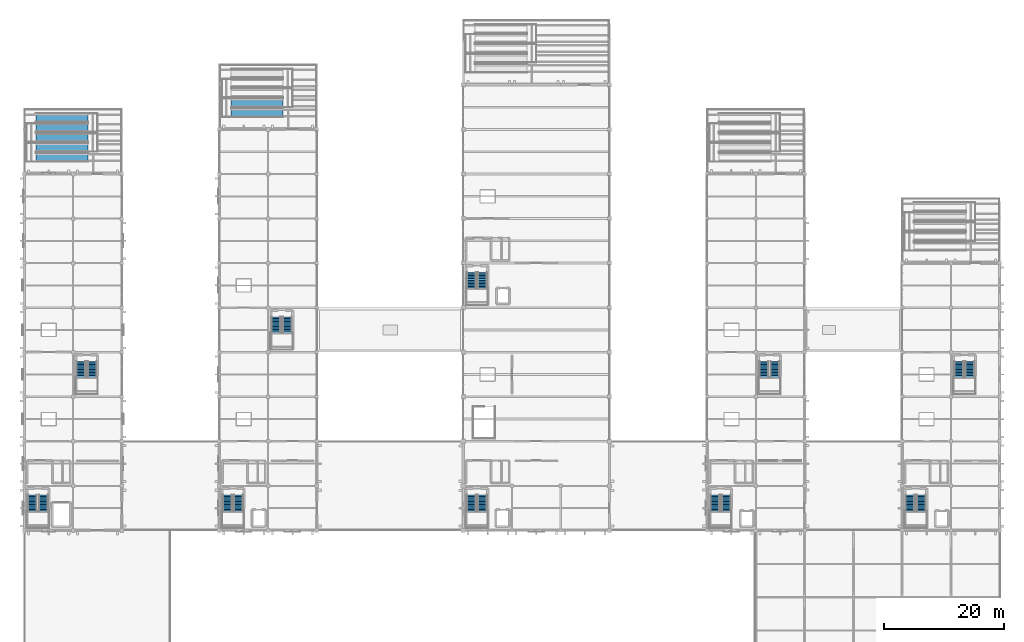
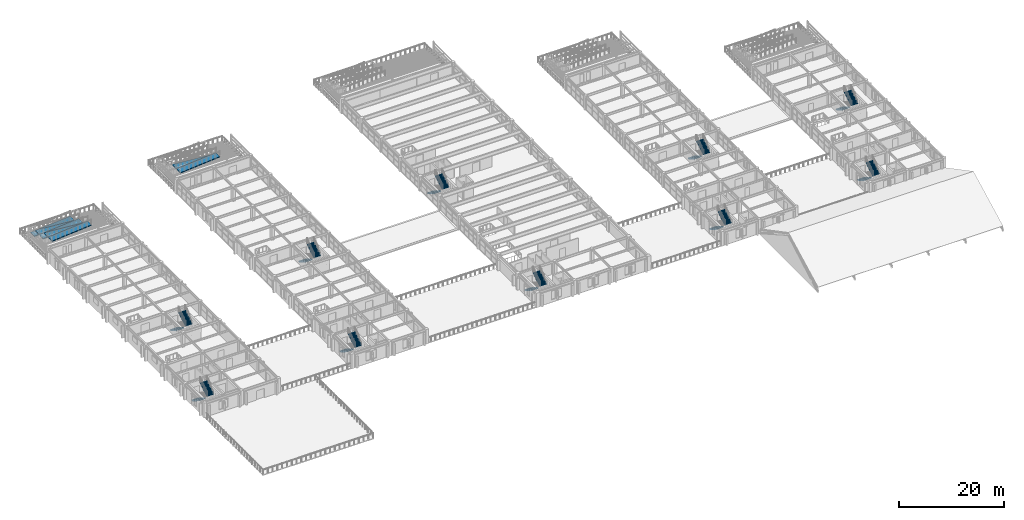
# One storey, part 109 of 121: 20 stair flights, 7 ramp flights, 12 elements without a shape of their own.
"""IFC4 building model written with IfcOpenShell, lengths in metres."""

from ifc_helpers import new_model, si_unit, direction, frame, origin, place, context, subcontext, project, spatial, polyline, outline, extrude, material, layer, layer_set, type_object, element, aggregate, save


model = new_model("IFC4")

# Units and contexts
model_context = context("Model", 3, precision=1e-05, world=origin(), true_north=direction((0.0, 1.0)))
body_context = subcontext(model_context, "Body", "Model", "MODEL_VIEW")
ifc_project = project(units=[si_unit("LENGTHUNIT", "METRE"), si_unit("AREAUNIT", "SQUARE_METRE"), si_unit("VOLUMEUNIT", "CUBIC_METRE"), si_unit("PLANEANGLEUNIT", "RADIAN"), si_unit("MASSUNIT", "GRAM", prefix="KILO")], contexts=[model_context])

# Site, building, storey
site_placement = place(None, origin())
site = spatial("IfcSite", under=ifc_project, at=site_placement, CompositionType="ELEMENT")
building_placement = place(site_placement, origin())
building = spatial("IfcBuilding", under=site, at=building_placement, Name="Cimatlan Art Gallery", CompositionType="ELEMENT")
storey_placement = place(building_placement, frame((0.0, 0.0, 10.199951171875)))
storey = spatial("IfcBuildingStorey", under=building, at=storey_placement, Name="L02", CompositionType="ELEMENT", Elevation=10.199951171875)

# Stair, stair flights
ifc_material = material(Name="Concrete C35/45", Category="concrete")
stair_type = type_object("IfcStairType", Name="STR-HALF-155-360", PredefinedType="HALF_TURN_STAIR", material=ifc_material)
stair_1_placement = place(storey_placement, origin())
stair_1 = element("IfcStair", 1, at=stair_1_placement, inside=storey, type_object=stair_type, Name="STR-C1-L02", PredefinedType="HALF_TURN_STAIR")
stair_flight_type = type_object("IfcStairFlightType", Name="STF-155-11R-265", PredefinedType="STRAIGHT", material=ifc_material)
stair_flight_1_placement = place(storey_placement, frame((3.3349609375, 29.780029296875, 0.0), z_axis=(0.0, 0.0, 1.0), x_axis=(0.0, -1.0, 0.0)))
stair_flight_1 = element("IfcStairFlight", 2, at=stair_flight_1_placement, type_object=stair_flight_type, Name="STR-C1-L02-F1", NumberOfRisers=11, NumberOfTreads=10, PredefinedType="STRAIGHT", RiserHeight=0.163636, TreadLength=0.265, context=body_context, shape_type="SweptSolid", body=[
    extrude(outline(polyline([(0.0, 0.0), (0.0, 0.16357421875), (0.264892578125, 0.16357421875), (0.264892578125, 0.327392578125), (0.530029296875, 0.327392578125), (0.530029296875, 0.490966796875), (0.794921875, 0.490966796875), (0.794921875, 0.654541015625), (1.06005859375, 0.654541015625), (1.06005859375, 0.818115234375), (1.324951171875, 0.818115234375), (1.324951171875, 0.98193359375), (1.590087890625, 0.98193359375), (1.590087890625, 1.1455078125), (1.85498046875, 1.1455078125), (1.85498046875, 1.30908203125), (2.1201171875, 1.30908203125), (2.1201171875, 1.47265625), (2.385009765625, 1.47265625), (2.385009765625, 1.636474609375), (2.64990234375, 1.636474609375), (2.64990234375, 1.800048828125), (2.64990234375, 1.4248046875), (0.342529296875, 0.0), (0.0, 0.0)])), frame((0.0, 0.77490234375, 0.0), z_axis=(0.0, -1.0, 0.0), x_axis=(1.0, 0.0, 0.0)), (0.0, 0.0, 1.0), 1.550048828125),
])
stair_flight_2_placement = place(storey_placement, frame((5.205078125, 27.1298828125, 1.800048828125), z_axis=(0.0, 0.0, 1.0), x_axis=(0.0, 1.0, 0.0)))
stair_flight_2 = element("IfcStairFlight", 3, at=stair_flight_2_placement, type_object=stair_flight_type, Name="STR-C1-L02-F2", NumberOfRisers=11, NumberOfTreads=10, PredefinedType="STRAIGHT", RiserHeight=0.163636, TreadLength=0.265, context=body_context, shape_type="SweptSolid", body=[
    extrude(outline(polyline([(0.0, 0.0), (0.0, 0.16357421875), (0.264892578125, 0.16357421875), (0.264892578125, 0.327392578125), (0.530029296875, 0.327392578125), (0.530029296875, 0.490966796875), (0.794921875, 0.490966796875), (0.794921875, 0.654541015625), (1.06005859375, 0.654541015625), (1.06005859375, 0.818115234375), (1.324951171875, 0.818115234375), (1.324951171875, 0.98193359375), (1.590087890625, 0.98193359375), (1.590087890625, 1.1455078125), (1.85498046875, 1.1455078125), (1.85498046875, 1.30908203125), (2.1201171875, 1.30908203125), (2.1201171875, 1.47265625), (2.385009765625, 1.47265625), (2.385009765625, 1.636474609375), (2.64990234375, 1.636474609375), (2.64990234375, 1.800048828125), (2.64990234375, 1.4248046875), (0.342529296875, 0.0), (0.0, 0.0)])), frame((0.0, 0.77490234375, 0.0), z_axis=(0.0, -1.0, 0.0), x_axis=(1.0, 0.0, 0.0)), (0.0, 0.0, 1.0), 1.550048828125),
])
aggregate(stair_1, [stair_flight_1, stair_flight_2])

stair_2_placement = place(storey_placement, origin())
stair_2 = element("IfcStair", 4, at=stair_2_placement, inside=storey, type_object=stair_type, Name="STR-C2-L02", PredefinedType="HALF_TURN_STAIR")
stair_flight_3_placement = place(storey_placement, frame((35.735107421875, 29.780029296875, 0.0), z_axis=(0.0, 0.0, 1.0), x_axis=(0.0, -1.0, 0.0)))
stair_flight_3 = element("IfcStairFlight", 5, at=stair_flight_3_placement, type_object=stair_flight_type, Name="STR-C2-L02-F1", NumberOfRisers=11, NumberOfTreads=10, PredefinedType="STRAIGHT", RiserHeight=0.163636, TreadLength=0.265, context=body_context, shape_type="SweptSolid", body=[
    extrude(outline(polyline([(0.0, 0.0), (0.0, 0.16357421875), (0.264892578125, 0.16357421875), (0.264892578125, 0.327392578125), (0.530029296875, 0.327392578125), (0.530029296875, 0.490966796875), (0.794921875, 0.490966796875), (0.794921875, 0.654541015625), (1.06005859375, 0.654541015625), (1.06005859375, 0.818115234375), (1.324951171875, 0.818115234375), (1.324951171875, 0.98193359375), (1.590087890625, 0.98193359375), (1.590087890625, 1.1455078125), (1.85498046875, 1.1455078125), (1.85498046875, 1.30908203125), (2.1201171875, 1.30908203125), (2.1201171875, 1.47265625), (2.385009765625, 1.47265625), (2.385009765625, 1.636474609375), (2.64990234375, 1.636474609375), (2.64990234375, 1.800048828125), (2.64990234375, 1.4248046875), (0.342529296875, 0.0), (0.0, 0.0)])), frame((0.0, 0.77490234375, 0.0), z_axis=(0.0, -1.0, 0.0), x_axis=(1.0, 0.0, 0.0)), (0.0, 0.0, 1.0), 1.550048828125),
])
stair_flight_4_placement = place(storey_placement, frame((37.60498046875, 27.1298828125, 1.800048828125), z_axis=(0.0, 0.0, 1.0), x_axis=(0.0, 1.0, 0.0)))
stair_flight_4 = element("IfcStairFlight", 6, at=stair_flight_4_placement, type_object=stair_flight_type, Name="STR-C2-L02-F2", NumberOfRisers=11, NumberOfTreads=10, PredefinedType="STRAIGHT", RiserHeight=0.163636, TreadLength=0.265, context=body_context, shape_type="SweptSolid", body=[
    extrude(outline(polyline([(0.0, 0.0), (0.0, 0.16357421875), (0.264892578125, 0.16357421875), (0.264892578125, 0.327392578125), (0.530029296875, 0.327392578125), (0.530029296875, 0.490966796875), (0.794921875, 0.490966796875), (0.794921875, 0.654541015625), (1.06005859375, 0.654541015625), (1.06005859375, 0.818115234375), (1.324951171875, 0.818115234375), (1.324951171875, 0.98193359375), (1.590087890625, 0.98193359375), (1.590087890625, 1.1455078125), (1.85498046875, 1.1455078125), (1.85498046875, 1.30908203125), (2.1201171875, 1.30908203125), (2.1201171875, 1.47265625), (2.385009765625, 1.47265625), (2.385009765625, 1.636474609375), (2.64990234375, 1.636474609375), (2.64990234375, 1.800048828125), (2.64990234375, 1.4248046875), (0.342529296875, 0.0), (0.0, 0.0)])), frame((0.0, 0.77490234375, 0.0), z_axis=(0.0, -1.0, 0.0), x_axis=(1.0, 0.0, 0.0)), (0.0, 0.0, 1.0), 1.550048828125),
])
aggregate(stair_2, [stair_flight_3, stair_flight_4])

stair_3_placement = place(storey_placement, origin())
stair_3 = element("IfcStair", 7, at=stair_3_placement, inside=storey, type_object=stair_type, Name="STR-C3-L02", PredefinedType="HALF_TURN_STAIR")
stair_flight_5_placement = place(storey_placement, frame((76.235107421875, 29.780029296875, 0.0), z_axis=(0.0, 0.0, 1.0), x_axis=(0.0, -1.0, 0.0)))
stair_flight_5 = element("IfcStairFlight", 8, at=stair_flight_5_placement, type_object=stair_flight_type, Name="STR-C3-L02-F1", NumberOfRisers=11, NumberOfTreads=10, PredefinedType="STRAIGHT", RiserHeight=0.163636, TreadLength=0.265, context=body_context, shape_type="SweptSolid", body=[
    extrude(outline(polyline([(0.0, 0.0), (0.0, 0.16357421875), (0.264892578125, 0.16357421875), (0.264892578125, 0.327392578125), (0.530029296875, 0.327392578125), (0.530029296875, 0.490966796875), (0.794921875, 0.490966796875), (0.794921875, 0.654541015625), (1.06005859375, 0.654541015625), (1.06005859375, 0.818115234375), (1.324951171875, 0.818115234375), (1.324951171875, 0.98193359375), (1.590087890625, 0.98193359375), (1.590087890625, 1.1455078125), (1.85498046875, 1.1455078125), (1.85498046875, 1.30908203125), (2.1201171875, 1.30908203125), (2.1201171875, 1.47265625), (2.385009765625, 1.47265625), (2.385009765625, 1.636474609375), (2.64990234375, 1.636474609375), (2.64990234375, 1.800048828125), (2.64990234375, 1.4248046875), (0.342529296875, 0.0), (0.0, 0.0)])), frame((0.0, 0.77490234375, 0.0), z_axis=(0.0, -1.0, 0.0), x_axis=(1.0, 0.0, 0.0)), (0.0, 0.0, 1.0), 1.550048828125),
])
stair_flight_6_placement = place(storey_placement, frame((78.10498046875, 27.1298828125, 1.800048828125), z_axis=(0.0, 0.0, 1.0), x_axis=(0.0, 1.0, 0.0)))
stair_flight_6 = element("IfcStairFlight", 9, at=stair_flight_6_placement, type_object=stair_flight_type, Name="STR-C3-L02-F2", NumberOfRisers=11, NumberOfTreads=10, PredefinedType="STRAIGHT", RiserHeight=0.163636, TreadLength=0.265, context=body_context, shape_type="SweptSolid", body=[
    extrude(outline(polyline([(0.0, 0.0), (0.0, 0.16357421875), (0.264892578125, 0.16357421875), (0.264892578125, 0.327392578125), (0.530029296875, 0.327392578125), (0.530029296875, 0.490966796875), (0.794921875, 0.490966796875), (0.794921875, 0.654541015625), (1.06005859375, 0.654541015625), (1.06005859375, 0.818115234375), (1.324951171875, 0.818115234375), (1.324951171875, 0.98193359375), (1.590087890625, 0.98193359375), (1.590087890625, 1.1455078125), (1.85498046875, 1.1455078125), (1.85498046875, 1.30908203125), (2.1201171875, 1.30908203125), (2.1201171875, 1.47265625), (2.385009765625, 1.47265625), (2.385009765625, 1.636474609375), (2.64990234375, 1.636474609375), (2.64990234375, 1.800048828125), (2.64990234375, 1.4248046875), (0.342529296875, 0.0), (0.0, 0.0)])), frame((0.0, 0.77490234375, 0.0), z_axis=(0.0, -1.0, 0.0), x_axis=(1.0, 0.0, 0.0)), (0.0, 0.0, 1.0), 1.550048828125),
])
aggregate(stair_3, [stair_flight_5, stair_flight_6])

stair_4_placement = place(storey_placement, origin())
stair_4 = element("IfcStair", 10, at=stair_4_placement, inside=storey, type_object=stair_type, Name="STR-C4-L02", PredefinedType="HALF_TURN_STAIR")
stair_flight_7_placement = place(storey_placement, frame((116.735107421875, 29.780029296875, 0.0), z_axis=(0.0, 0.0, 1.0), x_axis=(0.0, -1.0, 0.0)))
stair_flight_7 = element("IfcStairFlight", 11, at=stair_flight_7_placement, type_object=stair_flight_type, Name="STR-C4-L02-F1", NumberOfRisers=11, NumberOfTreads=10, PredefinedType="STRAIGHT", RiserHeight=0.163636, TreadLength=0.265, context=body_context, shape_type="SweptSolid", body=[
    extrude(outline(polyline([(0.0, 0.0), (0.0, 0.16357421875), (0.264892578125, 0.16357421875), (0.264892578125, 0.327392578125), (0.530029296875, 0.327392578125), (0.530029296875, 0.490966796875), (0.794921875, 0.490966796875), (0.794921875, 0.654541015625), (1.06005859375, 0.654541015625), (1.06005859375, 0.818115234375), (1.324951171875, 0.818115234375), (1.324951171875, 0.98193359375), (1.590087890625, 0.98193359375), (1.590087890625, 1.1455078125), (1.85498046875, 1.1455078125), (1.85498046875, 1.30908203125), (2.1201171875, 1.30908203125), (2.1201171875, 1.47265625), (2.385009765625, 1.47265625), (2.385009765625, 1.636474609375), (2.64990234375, 1.636474609375), (2.64990234375, 1.800048828125), (2.64990234375, 1.4248046875), (0.342529296875, 0.0), (0.0, 0.0)])), frame((0.0, 0.77490234375, 0.0), z_axis=(0.0, -1.0, 0.0), x_axis=(1.0, 0.0, 0.0)), (0.0, 0.0, 1.0), 1.550048828125),
])
stair_flight_8_placement = place(storey_placement, frame((118.60498046875, 27.1298828125, 1.800048828125), z_axis=(0.0, 0.0, 1.0), x_axis=(0.0, 1.0, 0.0)))
stair_flight_8 = element("IfcStairFlight", 12, at=stair_flight_8_placement, type_object=stair_flight_type, Name="STR-C4-L02-F2", NumberOfRisers=11, NumberOfTreads=10, PredefinedType="STRAIGHT", RiserHeight=0.163636, TreadLength=0.265, context=body_context, shape_type="SweptSolid", body=[
    extrude(outline(polyline([(0.0, 0.0), (0.0, 0.16357421875), (0.264892578125, 0.16357421875), (0.264892578125, 0.327392578125), (0.530029296875, 0.327392578125), (0.530029296875, 0.490966796875), (0.794921875, 0.490966796875), (0.794921875, 0.654541015625), (1.06005859375, 0.654541015625), (1.06005859375, 0.818115234375), (1.324951171875, 0.818115234375), (1.324951171875, 0.98193359375), (1.590087890625, 0.98193359375), (1.590087890625, 1.1455078125), (1.85498046875, 1.1455078125), (1.85498046875, 1.30908203125), (2.1201171875, 1.30908203125), (2.1201171875, 1.47265625), (2.385009765625, 1.47265625), (2.385009765625, 1.636474609375), (2.64990234375, 1.636474609375), (2.64990234375, 1.800048828125), (2.64990234375, 1.4248046875), (0.342529296875, 0.0), (0.0, 0.0)])), frame((0.0, 0.77490234375, 0.0), z_axis=(0.0, -1.0, 0.0), x_axis=(1.0, 0.0, 0.0)), (0.0, 0.0, 1.0), 1.550048828125),
])
aggregate(stair_4, [stair_flight_7, stair_flight_8])

stair_5_placement = place(storey_placement, origin())
stair_5 = element("IfcStair", 13, at=stair_5_placement, inside=storey, type_object=stair_type, Name="STR-C5-L02", PredefinedType="HALF_TURN_STAIR")
stair_flight_9_placement = place(storey_placement, frame((149.135009765625, 29.780029296875, 0.0), z_axis=(0.0, 0.0, 1.0), x_axis=(0.0, -1.0, 0.0)))
stair_flight_9 = element("IfcStairFlight", 14, at=stair_flight_9_placement, type_object=stair_flight_type, Name="STR-C5-L02-F1", NumberOfRisers=11, NumberOfTreads=10, PredefinedType="STRAIGHT", RiserHeight=0.163636, TreadLength=0.265, context=body_context, shape_type="SweptSolid", body=[
    extrude(outline(polyline([(0.0, 0.0), (0.0, 0.16357421875), (0.264892578125, 0.16357421875), (0.264892578125, 0.327392578125), (0.530029296875, 0.327392578125), (0.530029296875, 0.490966796875), (0.794921875, 0.490966796875), (0.794921875, 0.654541015625), (1.06005859375, 0.654541015625), (1.06005859375, 0.818115234375), (1.324951171875, 0.818115234375), (1.324951171875, 0.98193359375), (1.590087890625, 0.98193359375), (1.590087890625, 1.1455078125), (1.85498046875, 1.1455078125), (1.85498046875, 1.30908203125), (2.1201171875, 1.30908203125), (2.1201171875, 1.47265625), (2.385009765625, 1.47265625), (2.385009765625, 1.636474609375), (2.64990234375, 1.636474609375), (2.64990234375, 1.800048828125), (2.64990234375, 1.4248046875), (0.342529296875, 0.0), (0.0, 0.0)])), frame((0.0, 0.77490234375, 0.0), z_axis=(0.0, -1.0, 0.0), x_axis=(1.0, 0.0, 0.0)), (0.0, 0.0, 1.0), 1.550048828125),
])
stair_flight_10_placement = place(storey_placement, frame((151.0048828125, 27.1298828125, 1.800048828125), z_axis=(0.0, 0.0, 1.0), x_axis=(0.0, 1.0, 0.0)))
stair_flight_10 = element("IfcStairFlight", 15, at=stair_flight_10_placement, type_object=stair_flight_type, Name="STR-C5-L02-F2", NumberOfRisers=11, NumberOfTreads=10, PredefinedType="STRAIGHT", RiserHeight=0.163636, TreadLength=0.265, context=body_context, shape_type="SweptSolid", body=[
    extrude(outline(polyline([(0.0, 0.0), (0.0, 0.16357421875), (0.264892578125, 0.16357421875), (0.264892578125, 0.327392578125), (0.530029296875, 0.327392578125), (0.530029296875, 0.490966796875), (0.794921875, 0.490966796875), (0.794921875, 0.654541015625), (1.06005859375, 0.654541015625), (1.06005859375, 0.818115234375), (1.324951171875, 0.818115234375), (1.324951171875, 0.98193359375), (1.590087890625, 0.98193359375), (1.590087890625, 1.1455078125), (1.85498046875, 1.1455078125), (1.85498046875, 1.30908203125), (2.1201171875, 1.30908203125), (2.1201171875, 1.47265625), (2.385009765625, 1.47265625), (2.385009765625, 1.636474609375), (2.64990234375, 1.636474609375), (2.64990234375, 1.800048828125), (2.64990234375, 1.4248046875), (0.342529296875, 0.0), (0.0, 0.0)])), frame((0.0, 0.77490234375, 0.0), z_axis=(0.0, -1.0, 0.0), x_axis=(1.0, 0.0, 0.0)), (0.0, 0.0, 1.0), 1.550048828125),
])
aggregate(stair_5, [stair_flight_9, stair_flight_10])

stair_6_placement = place(storey_placement, origin())
stair_6 = element("IfcStair", 16, at=stair_6_placement, inside=storey, type_object=stair_type, Name="STR-C6-L02", PredefinedType="HALF_TURN_STAIR")
stair_flight_11_placement = place(storey_placement, frame((76.235107421875, 66.780029296875, 0.0), z_axis=(0.0, 0.0, 1.0), x_axis=(0.0, -1.0, 0.0)))
stair_flight_11 = element("IfcStairFlight", 17, at=stair_flight_11_placement, type_object=stair_flight_type, Name="STR-C6-L02-F1", NumberOfRisers=11, NumberOfTreads=10, PredefinedType="STRAIGHT", RiserHeight=0.163636, TreadLength=0.265, context=body_context, shape_type="SweptSolid", body=[
    extrude(outline(polyline([(0.0, 0.0), (0.0, 0.16357421875), (0.264892578125, 0.16357421875), (0.264892578125, 0.327392578125), (0.530029296875, 0.327392578125), (0.530029296875, 0.490966796875), (0.794921875, 0.490966796875), (0.794921875, 0.654541015625), (1.06005859375, 0.654541015625), (1.06005859375, 0.818115234375), (1.324951171875, 0.818115234375), (1.324951171875, 0.98193359375), (1.590087890625, 0.98193359375), (1.590087890625, 1.1455078125), (1.85498046875, 1.1455078125), (1.85498046875, 1.30908203125), (2.1201171875, 1.30908203125), (2.1201171875, 1.47265625), (2.385009765625, 1.47265625), (2.385009765625, 1.636474609375), (2.64990234375, 1.636474609375), (2.64990234375, 1.800048828125), (2.64990234375, 1.4248046875), (0.342529296875, 0.0), (0.0, 0.0)])), frame((0.0, 0.77490234375, 0.0), z_axis=(0.0, -1.0, 0.0), x_axis=(1.0, 0.0, 0.0)), (0.0, 0.0, 1.0), 1.550048828125),
])
stair_flight_12_placement = place(storey_placement, frame((78.10498046875, 64.1298828125, 1.800048828125), z_axis=(0.0, 0.0, 1.0), x_axis=(0.0, 1.0, 0.0)))
stair_flight_12 = element("IfcStairFlight", 18, at=stair_flight_12_placement, type_object=stair_flight_type, Name="STR-C6-L02-F2", NumberOfRisers=11, NumberOfTreads=10, PredefinedType="STRAIGHT", RiserHeight=0.163636, TreadLength=0.265, context=body_context, shape_type="SweptSolid", body=[
    extrude(outline(polyline([(0.0, 0.0), (0.0, 0.16357421875), (0.264892578125, 0.16357421875), (0.264892578125, 0.327392578125), (0.530029296875, 0.327392578125), (0.530029296875, 0.490966796875), (0.794921875, 0.490966796875), (0.794921875, 0.654541015625), (1.06005859375, 0.654541015625), (1.06005859375, 0.818115234375), (1.324951171875, 0.818115234375), (1.324951171875, 0.98193359375), (1.590087890625, 0.98193359375), (1.590087890625, 1.1455078125), (1.85498046875, 1.1455078125), (1.85498046875, 1.30908203125), (2.1201171875, 1.30908203125), (2.1201171875, 1.47265625), (2.385009765625, 1.47265625), (2.385009765625, 1.636474609375), (2.64990234375, 1.636474609375), (2.64990234375, 1.800048828125), (2.64990234375, 1.4248046875), (0.342529296875, 0.0), (0.0, 0.0)])), frame((0.0, 0.77490234375, 0.0), z_axis=(0.0, -1.0, 0.0), x_axis=(1.0, 0.0, 0.0)), (0.0, 0.0, 1.0), 1.550048828125),
])
aggregate(stair_6, [stair_flight_11, stair_flight_12])

stair_7_placement = place(storey_placement, origin())
stair_7 = element("IfcStair", 19, at=stair_7_placement, inside=storey, type_object=stair_type, Name="STR-C7-L02", PredefinedType="HALF_TURN_STAIR")
stair_flight_13_placement = place(storey_placement, frame((11.43505859375, 51.97998046875, 0.0), z_axis=(0.0, 0.0, 1.0), x_axis=(0.0, -1.0, 0.0)))
stair_flight_13 = element("IfcStairFlight", 20, at=stair_flight_13_placement, type_object=stair_flight_type, Name="STR-C7-L02-F1", NumberOfRisers=11, NumberOfTreads=10, PredefinedType="STRAIGHT", RiserHeight=0.163636, TreadLength=0.265, context=body_context, shape_type="SweptSolid", body=[
    extrude(outline(polyline([(0.0, 0.0), (0.0, 0.16357421875), (0.264892578125, 0.16357421875), (0.264892578125, 0.327392578125), (0.530029296875, 0.327392578125), (0.530029296875, 0.490966796875), (0.794921875, 0.490966796875), (0.794921875, 0.654541015625), (1.06005859375, 0.654541015625), (1.06005859375, 0.818115234375), (1.324951171875, 0.818115234375), (1.324951171875, 0.98193359375), (1.590087890625, 0.98193359375), (1.590087890625, 1.1455078125), (1.85498046875, 1.1455078125), (1.85498046875, 1.30908203125), (2.1201171875, 1.30908203125), (2.1201171875, 1.47265625), (2.385009765625, 1.47265625), (2.385009765625, 1.636474609375), (2.64990234375, 1.636474609375), (2.64990234375, 1.800048828125), (2.64990234375, 1.4248046875), (0.342529296875, 0.0), (0.0, 0.0)])), frame((0.0, 0.77490234375, 0.0), z_axis=(0.0, -1.0, 0.0), x_axis=(1.0, 0.0, 0.0)), (0.0, 0.0, 1.0), 1.550048828125),
])
stair_flight_14_placement = place(storey_placement, frame((13.304931640625, 49.330078125, 1.800048828125), z_axis=(0.0, 0.0, 1.0), x_axis=(0.0, 1.0, 0.0)))
stair_flight_14 = element("IfcStairFlight", 21, at=stair_flight_14_placement, type_object=stair_flight_type, Name="STR-C7-L02-F2", NumberOfRisers=11, NumberOfTreads=10, PredefinedType="STRAIGHT", RiserHeight=0.163636, TreadLength=0.265, context=body_context, shape_type="SweptSolid", body=[
    extrude(outline(polyline([(0.0, 0.0), (0.0, 0.16357421875), (0.264892578125, 0.16357421875), (0.264892578125, 0.327392578125), (0.530029296875, 0.327392578125), (0.530029296875, 0.490966796875), (0.794921875, 0.490966796875), (0.794921875, 0.654541015625), (1.06005859375, 0.654541015625), (1.06005859375, 0.818115234375), (1.324951171875, 0.818115234375), (1.324951171875, 0.98193359375), (1.590087890625, 0.98193359375), (1.590087890625, 1.1455078125), (1.85498046875, 1.1455078125), (1.85498046875, 1.30908203125), (2.1201171875, 1.30908203125), (2.1201171875, 1.47265625), (2.385009765625, 1.47265625), (2.385009765625, 1.636474609375), (2.64990234375, 1.636474609375), (2.64990234375, 1.800048828125), (2.64990234375, 1.4248046875), (0.342529296875, 0.0), (0.0, 0.0)])), frame((0.0, 0.77490234375, 0.0), z_axis=(0.0, -1.0, 0.0), x_axis=(1.0, 0.0, 0.0)), (0.0, 0.0, 1.0), 1.550048828125),
])
aggregate(stair_7, [stair_flight_13, stair_flight_14])

stair_8_placement = place(storey_placement, origin())
stair_8 = element("IfcStair", 22, at=stair_8_placement, inside=storey, type_object=stair_type, Name="STR-C8-L02", PredefinedType="HALF_TURN_STAIR")
stair_flight_15_placement = place(storey_placement, frame((43.8349609375, 59.3798828125, 0.0), z_axis=(0.0, 0.0, 1.0), x_axis=(0.0, -1.0, 0.0)))
stair_flight_15 = element("IfcStairFlight", 23, at=stair_flight_15_placement, type_object=stair_flight_type, Name="STR-C8-L02-F1", NumberOfRisers=11, NumberOfTreads=10, PredefinedType="STRAIGHT", RiserHeight=0.163636, TreadLength=0.265, context=body_context, shape_type="SweptSolid", body=[
    extrude(outline(polyline([(0.0, 0.0), (0.0, 0.16357421875), (0.264892578125, 0.16357421875), (0.264892578125, 0.327392578125), (0.530029296875, 0.327392578125), (0.530029296875, 0.490966796875), (0.794921875, 0.490966796875), (0.794921875, 0.654541015625), (1.06005859375, 0.654541015625), (1.06005859375, 0.818115234375), (1.324951171875, 0.818115234375), (1.324951171875, 0.98193359375), (1.590087890625, 0.98193359375), (1.590087890625, 1.1455078125), (1.85498046875, 1.1455078125), (1.85498046875, 1.30908203125), (2.1201171875, 1.30908203125), (2.1201171875, 1.47265625), (2.385009765625, 1.47265625), (2.385009765625, 1.636474609375), (2.64990234375, 1.636474609375), (2.64990234375, 1.800048828125), (2.64990234375, 1.4248046875), (0.342529296875, 0.0), (0.0, 0.0)])), frame((0.0, 0.77490234375, 0.0), z_axis=(0.0, -1.0, 0.0), x_axis=(1.0, 0.0, 0.0)), (0.0, 0.0, 1.0), 1.550048828125),
])
stair_flight_16_placement = place(storey_placement, frame((45.705078125, 56.72998046875, 1.800048828125), z_axis=(0.0, 0.0, 1.0), x_axis=(0.0, 1.0, 0.0)))
stair_flight_16 = element("IfcStairFlight", 24, at=stair_flight_16_placement, type_object=stair_flight_type, Name="STR-C8-L02-F2", NumberOfRisers=11, NumberOfTreads=10, PredefinedType="STRAIGHT", RiserHeight=0.163636, TreadLength=0.265, context=body_context, shape_type="SweptSolid", body=[
    extrude(outline(polyline([(0.0, 0.0), (0.0, 0.16357421875), (0.264892578125, 0.16357421875), (0.264892578125, 0.327392578125), (0.530029296875, 0.327392578125), (0.530029296875, 0.490966796875), (0.794921875, 0.490966796875), (0.794921875, 0.654541015625), (1.06005859375, 0.654541015625), (1.06005859375, 0.818115234375), (1.324951171875, 0.818115234375), (1.324951171875, 0.98193359375), (1.590087890625, 0.98193359375), (1.590087890625, 1.1455078125), (1.85498046875, 1.1455078125), (1.85498046875, 1.30908203125), (2.1201171875, 1.30908203125), (2.1201171875, 1.47265625), (2.385009765625, 1.47265625), (2.385009765625, 1.636474609375), (2.64990234375, 1.636474609375), (2.64990234375, 1.800048828125), (2.64990234375, 1.4248046875), (0.342529296875, 0.0), (0.0, 0.0)])), frame((0.0, 0.77490234375, 0.0), z_axis=(0.0, -1.0, 0.0), x_axis=(1.0, 0.0, 0.0)), (0.0, 0.0, 1.0), 1.550048828125),
])
aggregate(stair_8, [stair_flight_15, stair_flight_16])

stair_9_placement = place(storey_placement, origin())
stair_9 = element("IfcStair", 25, at=stair_9_placement, inside=storey, type_object=stair_type, Name="STR-C9-L02", PredefinedType="HALF_TURN_STAIR")
stair_flight_17_placement = place(storey_placement, frame((124.8349609375, 51.97998046875, 0.0), z_axis=(0.0, 0.0, 1.0), x_axis=(0.0, -1.0, 0.0)))
stair_flight_17 = element("IfcStairFlight", 26, at=stair_flight_17_placement, type_object=stair_flight_type, Name="STR-C9-L02-F1", NumberOfRisers=11, NumberOfTreads=10, PredefinedType="STRAIGHT", RiserHeight=0.163636, TreadLength=0.265, context=body_context, shape_type="SweptSolid", body=[
    extrude(outline(polyline([(0.0, 0.0), (0.0, 0.16357421875), (0.264892578125, 0.16357421875), (0.264892578125, 0.327392578125), (0.530029296875, 0.327392578125), (0.530029296875, 0.490966796875), (0.794921875, 0.490966796875), (0.794921875, 0.654541015625), (1.06005859375, 0.654541015625), (1.06005859375, 0.818115234375), (1.324951171875, 0.818115234375), (1.324951171875, 0.98193359375), (1.590087890625, 0.98193359375), (1.590087890625, 1.1455078125), (1.85498046875, 1.1455078125), (1.85498046875, 1.30908203125), (2.1201171875, 1.30908203125), (2.1201171875, 1.47265625), (2.385009765625, 1.47265625), (2.385009765625, 1.636474609375), (2.64990234375, 1.636474609375), (2.64990234375, 1.800048828125), (2.64990234375, 1.4248046875), (0.342529296875, 0.0), (0.0, 0.0)])), frame((0.0, 0.77490234375, 0.0), z_axis=(0.0, -1.0, 0.0), x_axis=(1.0, 0.0, 0.0)), (0.0, 0.0, 1.0), 1.550048828125),
])
stair_flight_18_placement = place(storey_placement, frame((126.705078125, 49.330078125, 1.800048828125), z_axis=(0.0, 0.0, 1.0), x_axis=(0.0, 1.0, 0.0)))
stair_flight_18 = element("IfcStairFlight", 27, at=stair_flight_18_placement, type_object=stair_flight_type, Name="STR-C9-L02-F2", NumberOfRisers=11, NumberOfTreads=10, PredefinedType="STRAIGHT", RiserHeight=0.163636, TreadLength=0.265, context=body_context, shape_type="SweptSolid", body=[
    extrude(outline(polyline([(0.0, 0.0), (0.0, 0.16357421875), (0.264892578125, 0.16357421875), (0.264892578125, 0.327392578125), (0.530029296875, 0.327392578125), (0.530029296875, 0.490966796875), (0.794921875, 0.490966796875), (0.794921875, 0.654541015625), (1.06005859375, 0.654541015625), (1.06005859375, 0.818115234375), (1.324951171875, 0.818115234375), (1.324951171875, 0.98193359375), (1.590087890625, 0.98193359375), (1.590087890625, 1.1455078125), (1.85498046875, 1.1455078125), (1.85498046875, 1.30908203125), (2.1201171875, 1.30908203125), (2.1201171875, 1.47265625), (2.385009765625, 1.47265625), (2.385009765625, 1.636474609375), (2.64990234375, 1.636474609375), (2.64990234375, 1.800048828125), (2.64990234375, 1.4248046875), (0.342529296875, 0.0), (0.0, 0.0)])), frame((0.0, 0.77490234375, 0.0), z_axis=(0.0, -1.0, 0.0), x_axis=(1.0, 0.0, 0.0)), (0.0, 0.0, 1.0), 1.550048828125),
])
aggregate(stair_9, [stair_flight_17, stair_flight_18])

stair_10_placement = place(storey_placement, origin())
stair_10 = element("IfcStair", 28, at=stair_10_placement, inside=storey, type_object=stair_type, Name="STR-C10-L02", PredefinedType="HALF_TURN_STAIR")
stair_flight_19_placement = place(storey_placement, frame((157.235107421875, 51.97998046875, 0.0), z_axis=(0.0, 0.0, 1.0), x_axis=(0.0, -1.0, 0.0)))
stair_flight_19 = element("IfcStairFlight", 29, at=stair_flight_19_placement, type_object=stair_flight_type, Name="STR-C10-L02-F1", NumberOfRisers=11, NumberOfTreads=10, PredefinedType="STRAIGHT", RiserHeight=0.163636, TreadLength=0.265, context=body_context, shape_type="SweptSolid", body=[
    extrude(outline(polyline([(0.0, 0.0), (0.0, 0.16357421875), (0.264892578125, 0.16357421875), (0.264892578125, 0.327392578125), (0.530029296875, 0.327392578125), (0.530029296875, 0.490966796875), (0.794921875, 0.490966796875), (0.794921875, 0.654541015625), (1.06005859375, 0.654541015625), (1.06005859375, 0.818115234375), (1.324951171875, 0.818115234375), (1.324951171875, 0.98193359375), (1.590087890625, 0.98193359375), (1.590087890625, 1.1455078125), (1.85498046875, 1.1455078125), (1.85498046875, 1.30908203125), (2.1201171875, 1.30908203125), (2.1201171875, 1.47265625), (2.385009765625, 1.47265625), (2.385009765625, 1.636474609375), (2.64990234375, 1.636474609375), (2.64990234375, 1.800048828125), (2.64990234375, 1.4248046875), (0.342529296875, 0.0), (0.0, 0.0)])), frame((0.0, 0.77490234375, 0.0), z_axis=(0.0, -1.0, 0.0), x_axis=(1.0, 0.0, 0.0)), (0.0, 0.0, 1.0), 1.550048828125),
])
stair_flight_20_placement = place(storey_placement, frame((159.10498046875, 49.330078125, 1.800048828125), z_axis=(0.0, 0.0, 1.0), x_axis=(0.0, 1.0, 0.0)))
stair_flight_20 = element("IfcStairFlight", 30, at=stair_flight_20_placement, type_object=stair_flight_type, Name="STR-C10-L02-F2", NumberOfRisers=11, NumberOfTreads=10, PredefinedType="STRAIGHT", RiserHeight=0.163636, TreadLength=0.265, context=body_context, shape_type="SweptSolid", body=[
    extrude(outline(polyline([(0.0, 0.0), (0.0, 0.16357421875), (0.264892578125, 0.16357421875), (0.264892578125, 0.327392578125), (0.530029296875, 0.327392578125), (0.530029296875, 0.490966796875), (0.794921875, 0.490966796875), (0.794921875, 0.654541015625), (1.06005859375, 0.654541015625), (1.06005859375, 0.818115234375), (1.324951171875, 0.818115234375), (1.324951171875, 0.98193359375), (1.590087890625, 0.98193359375), (1.590087890625, 1.1455078125), (1.85498046875, 1.1455078125), (1.85498046875, 1.30908203125), (2.1201171875, 1.30908203125), (2.1201171875, 1.47265625), (2.385009765625, 1.47265625), (2.385009765625, 1.636474609375), (2.64990234375, 1.636474609375), (2.64990234375, 1.800048828125), (2.64990234375, 1.4248046875), (0.342529296875, 0.0), (0.0, 0.0)])), frame((0.0, 0.77490234375, 0.0), z_axis=(0.0, -1.0, 0.0), x_axis=(1.0, 0.0, 0.0)), (0.0, 0.0, 1.0), 1.550048828125),
])
aggregate(stair_10, [stair_flight_19, stair_flight_20])

# Ramp, ramp flights
ramp_type = type_object("IfcRampType", Name="RMP-TER-1500", PredefinedType="TWO_STRAIGHT_RUN_RAMP", material=ifc_material)
ramp_1_placement = place(storey_placement, origin())
ramp_1 = element("IfcRamp", 31, at=ramp_1_placement, inside=storey, type_object=ramp_type, Name="RMP-TER-B1", PredefinedType="TWO_STRAIGHT_RUN_RAMP")
ifc_layer = layer(ifc_material, 0.199951171875)
ifc_layer_set = layer_set([ifc_layer], Name="Concrete C35/45")
ramp_flight_type = type_object("IfcRampFlightType", Name="RMF-TER-8640", PredefinedType="STRAIGHT", material=ifc_layer_set)
ramp_flight_1_placement = place(storey_placement, frame((3.949951171875, 92.449951171875, 0.0), z_axis=(0.0, 0.0, 1.0), x_axis=(1.0, 0.0, 0.0)))
ramp_flight_1 = element("IfcRampFlight", 32, at=ramp_flight_1_placement, type_object=ramp_flight_type, Name="RMP-TER-B1-FL1", PredefinedType="STRAIGHT", context=body_context, shape_type="SweptSolid", body=[
    extrude(outline(polyline([(0.0, 0.0), (8.639892578125, 0.719970703125), (8.639892578125, 0.52001953125), (0.0, -0.199951171875), (0.0, 0.0)])), frame((0.0, 0.75, 0.0), z_axis=(0.0, -1.0, 0.0), x_axis=(1.0, 0.0, 0.0)), (0.0, 0.0, 1.0), 1.5),
])
ramp_flight_2_placement = place(storey_placement, frame((12.590087890625, 90.800048828125, 0.719970703125), z_axis=(0.0, 0.0, 1.0), x_axis=(-1.0, 0.0, 0.0)))
ramp_flight_2 = element("IfcRampFlight", 33, at=ramp_flight_2_placement, type_object=ramp_flight_type, Name="RMP-TER-B1-FL2", PredefinedType="STRAIGHT", context=body_context, shape_type="SweptSolid", body=[
    extrude(outline(polyline([(0.0, 0.0), (8.639892578125, 0.719970703125), (8.639892578125, 0.52001953125), (0.0, -0.199951171875), (0.0, 0.0)])), frame((0.0, 0.75, 0.0), z_axis=(0.0, -1.0, 0.0), x_axis=(1.0, 0.0, 0.0)), (0.0, 0.0, 1.0), 1.5),
])
ramp_flight_3_placement = place(storey_placement, frame((3.949951171875, 89.14990234375, 1.43994140625), z_axis=(0.0, 0.0, 1.0), x_axis=(1.0, 0.0, 0.0)))
ramp_flight_3 = element("IfcRampFlight", 34, at=ramp_flight_3_placement, type_object=ramp_flight_type, Name="RMP-TER-B1-FL3", PredefinedType="STRAIGHT", context=body_context, shape_type="SweptSolid", body=[
    extrude(outline(polyline([(0.0, 0.0), (8.639892578125, 0.719970703125), (8.639892578125, 0.52001953125), (0.0, -0.199951171875), (0.0, 0.0)])), frame((0.0, 0.75, 0.0), z_axis=(0.0, -1.0, 0.0), x_axis=(1.0, 0.0, 0.0)), (0.0, 0.0, 1.0), 1.5),
])
ramp_flight_4_placement = place(storey_placement, frame((12.590087890625, 87.5, 2.16015625), z_axis=(0.0, 0.0, 1.0), x_axis=(-1.0, 0.0, 0.0)))
ramp_flight_4 = element("IfcRampFlight", 35, at=ramp_flight_4_placement, type_object=ramp_flight_type, Name="RMP-TER-B1-FL4", PredefinedType="STRAIGHT", context=body_context, shape_type="SweptSolid", body=[
    extrude(outline(polyline([(0.0, 0.0), (8.639892578125, 0.719970703125), (8.639892578125, 0.52001953125), (0.0, -0.199951171875), (0.0, 0.0)])), frame((0.0, 0.75, 0.0), z_axis=(0.0, -1.0, 0.0), x_axis=(1.0, 0.0, 0.0)), (0.0, 0.0, 1.0), 1.5),
])
ramp_flight_5_placement = place(storey_placement, frame((3.949951171875, 85.85009765625, 2.880126953125), z_axis=(0.0, 0.0, 1.0), x_axis=(1.0, 0.0, 0.0)))
ramp_flight_5 = element("IfcRampFlight", 36, at=ramp_flight_5_placement, type_object=ramp_flight_type, Name="RMP-TER-B1-FL5", PredefinedType="STRAIGHT", context=body_context, shape_type="SweptSolid", body=[
    extrude(outline(polyline([(0.0, 0.0), (8.639892578125, 0.719970703125), (8.639892578125, 0.52001953125), (0.0, -0.199951171875), (0.0, 0.0)])), frame((0.0, 0.75, 0.0), z_axis=(0.0, -1.0, 0.0), x_axis=(1.0, 0.0, 0.0)), (0.0, 0.0, 1.0), 1.5),
])
aggregate(ramp_1, [ramp_flight_1, ramp_flight_2, ramp_flight_3, ramp_flight_4, ramp_flight_5])

ramp_2_placement = place(storey_placement, origin())
ramp_2 = element("IfcRamp", 37, at=ramp_2_placement, inside=storey, type_object=ramp_type, Name="RMP-TER-B2", PredefinedType="TWO_STRAIGHT_RUN_RAMP")
ramp_flight_6_placement = place(storey_placement, frame((44.989990234375, 94.89990234375, 2.16015625), z_axis=(0.0, 0.0, 1.0), x_axis=(-1.0, 0.0, 0.0)))
ramp_flight_6 = element("IfcRampFlight", 38, at=ramp_flight_6_placement, type_object=ramp_flight_type, Name="RMP-TER-B2-FL4", PredefinedType="STRAIGHT", context=body_context, shape_type="SweptSolid", body=[
    extrude(outline(polyline([(0.0, 0.0), (8.639892578125, 0.719970703125), (8.639892578125, 0.52001953125), (0.0, -0.199951171875), (0.0, 0.0)])), frame((0.0, 0.75, 0.0), z_axis=(0.0, -1.0, 0.0), x_axis=(1.0, 0.0, 0.0)), (0.0, 0.0, 1.0), 1.5),
])
ramp_flight_7_placement = place(storey_placement, frame((36.35009765625, 93.25, 2.880126953125), z_axis=(0.0, 0.0, 1.0), x_axis=(1.0, 0.0, 0.0)))
ramp_flight_7 = element("IfcRampFlight", 39, at=ramp_flight_7_placement, type_object=ramp_flight_type, Name="RMP-TER-B2-FL5", PredefinedType="STRAIGHT", context=body_context, shape_type="SweptSolid", body=[
    extrude(outline(polyline([(0.0, 0.0), (8.639892578125, 0.719970703125), (8.639892578125, 0.52001953125), (0.0, -0.199951171875), (0.0, 0.0)])), frame((0.0, 0.75, 0.0), z_axis=(0.0, -1.0, 0.0), x_axis=(1.0, 0.0, 0.0)), (0.0, 0.0, 1.0), 1.5),
])
aggregate(ramp_2, [ramp_flight_6, ramp_flight_7])

save(model, "model.ifc")
